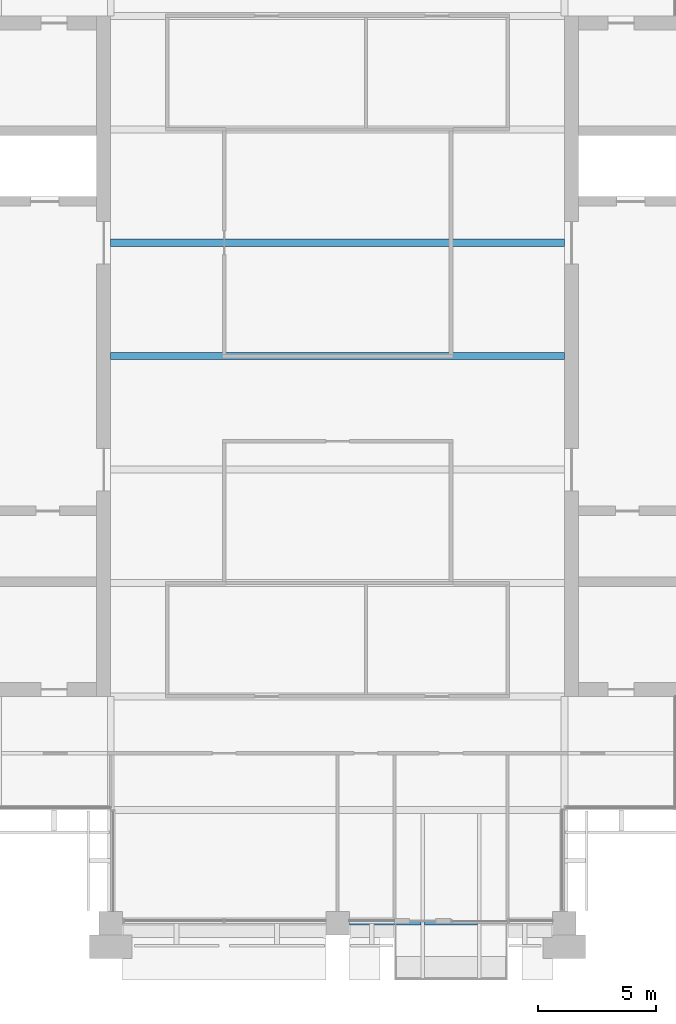
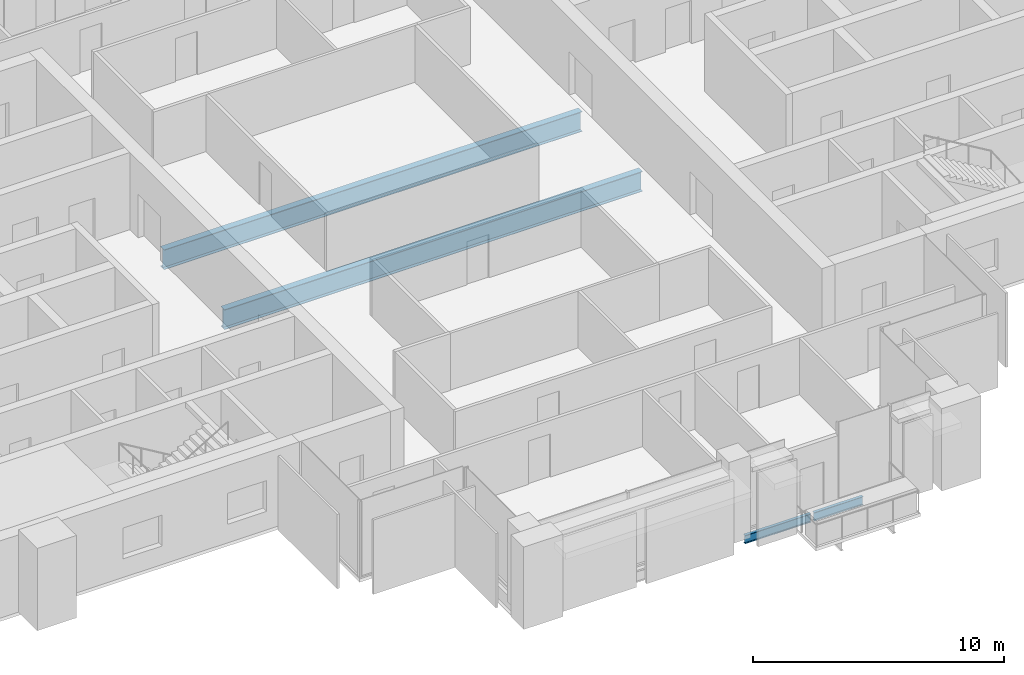
# One storey, part 3 of 13: 4 beams.
"""IFC4 building model written with IfcOpenShell, lengths in metres."""

from ifc_helpers import new_model, si_unit, direction, frame, origin, origin_2d, place, context, subcontext, project, spatial, i_section, extrude, material, material_profile, profile_set, type_object, element, save


model = new_model("IFC4")

# Units and contexts
model_context = context("Model", 3, precision=1e-05, world=origin(), true_north=direction((0.0, 1.0)))
body_context = subcontext(model_context, "Body", "Model", "MODEL_VIEW")
ifc_project = project(units=[si_unit("LENGTHUNIT", "METRE"), si_unit("AREAUNIT", "SQUARE_METRE"), si_unit("VOLUMEUNIT", "CUBIC_METRE"), si_unit("PLANEANGLEUNIT", "RADIAN"), si_unit("MASSUNIT", "GRAM", prefix="KILO")], contexts=[model_context])

# Site, building, storey
site_placement = place(None, origin())
site = spatial("IfcSite", under=ifc_project, at=site_placement, CompositionType="ELEMENT")
building_placement = place(site_placement, origin())
building = spatial("IfcBuilding", under=site, at=building_placement, Name="Baori Bourse Tower", CompositionType="ELEMENT")
storey_placement = place(building_placement, frame((0.0, 0.0, 350.300048828125)))
storey = spatial("IfcBuildingStorey", under=building, at=storey_placement, Name="L78", CompositionType="ELEMENT", Elevation=350.300048828125)

# Beams
ifc_material_1 = material(Name="Steel A992 Gr 50", Category="steel")
ifc_material_profile_1 = material_profile(ifc_material_1, i_section(OverallWidth=0.140380859375, OverallDepth=0.40380859375, WebThickness=0.007080078125, FlangeThickness=0.01123046875, at=origin_2d()), Name="W16x31")
ifc_profile_set_1 = profile_set([ifc_material_profile_1], Name="Steel A992 Gr 50")
beam_type_1 = type_object("IfcBeamType", Name="Edge beam W16x31", PredefinedType="BEAM", material=ifc_profile_set_1)
beam_1_placement = place(storey_placement, frame((29.300048828125, 0.0, -0.362060546875), z_axis=(1.0, 0.0, 0.0), x_axis=(0.0, 1.0, 0.0)))
element("IfcBeam", 1, at=beam_1_placement, inside=storey, type_object=beam_type_1, Name="Edge beam L78", PredefinedType="BEAM", context=body_context, shape_type="SweptSolid", body=[
    extrude(i_section(OverallWidth=0.140380859375, OverallDepth=0.40380859375, WebThickness=0.007080078125, FlangeThickness=0.01123046875, at=origin_2d()), origin(), (0.0, 0.0, 1.0), 3.02978515625),
])
beam_2_placement = place(storey_placement, frame((32.47021484375, 0.0, -0.362060546875), z_axis=(1.0, 0.0, 0.0), x_axis=(0.0, 1.0, 0.0)))
element("IfcBeam", 2, at=beam_2_placement, inside=storey, type_object=beam_type_1, Name="Edge beam L78", PredefinedType="BEAM", context=body_context, shape_type="SweptSolid", body=[
    extrude(i_section(OverallWidth=0.140380859375, OverallDepth=0.40380859375, WebThickness=0.007080078125, FlangeThickness=0.01123046875, at=origin_2d()), origin(), (0.0, 0.0, 1.0), 2.259521484375),
])
ifc_material_2 = material(Name="Steel A992 Gr 50", Category="steel")
ifc_material_profile_2 = material_profile(ifc_material_2, i_section(OverallWidth=0.2998046875, OverallDepth=0.97021484375, WebThickness=0.01611328125, FlangeThickness=0.02099609375, at=origin_2d()), Name="W40x149")
ifc_profile_set_2 = profile_set([ifc_material_profile_2], Name="Steel A992 Gr 50")
beam_type_2 = type_object("IfcBeamType", Name="Floor beam W40x149", PredefinedType="BEAM", material=ifc_profile_set_2)
for number, where, z_axis, x_axis, name in (
    (3, (19.199951171875, 24.0, -0.645263671875), (1.0, 0.0, 0.0), (0.0, 1.0, 0.0), "Floor beam L78"),
    (4, (19.199951171875, 28.800048828125, -0.645263671875), (1.0, 0.0, 0.0), (0.0, 1.0, 0.0), "Floor beam L78"),
):
    element("IfcBeam", number, at=place(storey_placement, frame(where, z_axis=z_axis, x_axis=x_axis)), inside=storey, type_object=beam_type_2, Name=name, PredefinedType="BEAM", context=body_context, shape_type="SweptSolid", body=[
        extrude(i_section(OverallWidth=0.2998046875, OverallDepth=0.97021484375, WebThickness=0.01611328125, FlangeThickness=0.02099609375, at=origin_2d()), origin(), (0.0, 0.0, 1.0), 19.199951171875),
    ])

save(model, "model.ifc")
